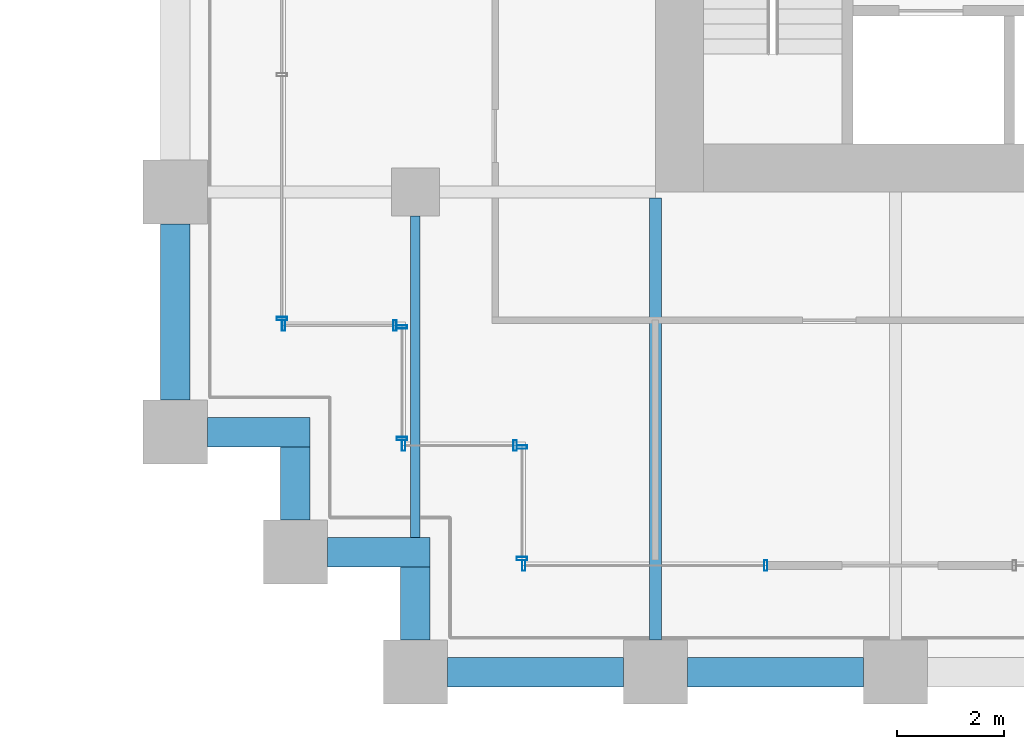
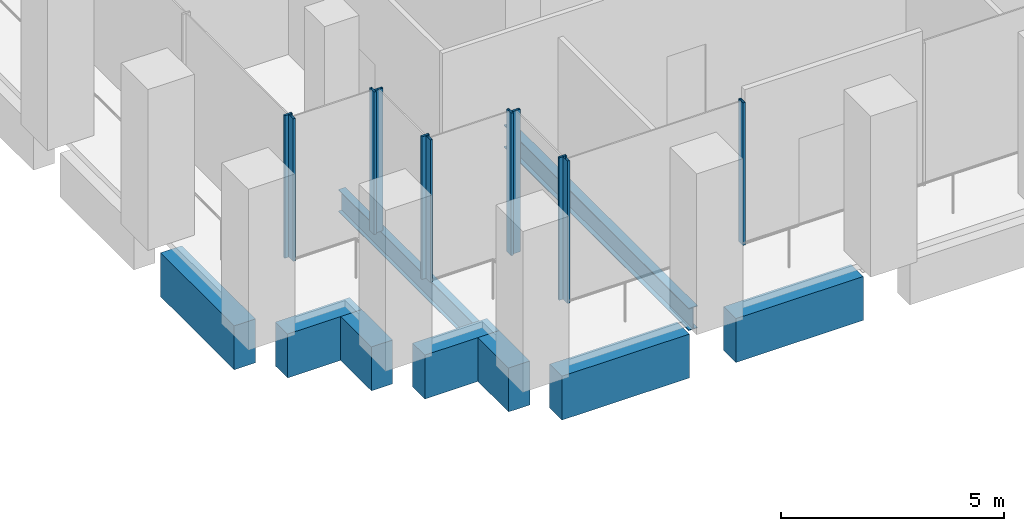
# One storey, part 19 of 36: 11 members, 9 beams, 6 elements without a shape of their own.
"""IFC4 building model written with IfcOpenShell, lengths in metres."""

from ifc_helpers import new_model, si_unit, direction, frame, origin, origin_2d, place, context, subcontext, project, spatial, rectangle, hollow_rectangle, i_section, extrude, material, material_profile, profile_set, type_object, element, aggregate, save


model = new_model("IFC4")

# Units and contexts
model_context = context("Model", 3, precision=1e-05, world=origin(), true_north=direction((0.0, 1.0)))
body_context = subcontext(model_context, "Body", "Model", "MODEL_VIEW")
ifc_project = project(units=[si_unit("LENGTHUNIT", "METRE"), si_unit("AREAUNIT", "SQUARE_METRE"), si_unit("VOLUMEUNIT", "CUBIC_METRE"), si_unit("PLANEANGLEUNIT", "RADIAN"), si_unit("MASSUNIT", "GRAM", prefix="KILO")], contexts=[model_context])

# Site, building, storey
site_placement = place(None, origin())
site = spatial("IfcSite", under=ifc_project, at=site_placement, CompositionType="ELEMENT")
building_placement = place(site_placement, origin())
building = spatial("IfcBuilding", under=site, at=building_placement, Name="Altepetl Exchange Towers", CompositionType="ELEMENT")
storey_placement = place(building_placement, frame((0.0, 0.0, 38.60009765625)))
storey = spatial("IfcBuildingStorey", under=building, at=storey_placement, Name="L08", CompositionType="ELEMENT", Elevation=38.60009765625)

# Beams
ifc_material_1 = material(Name="Steel S355", Category="steel")
ifc_material_profile_1 = material_profile(ifc_material_1, i_section(OverallWidth=0.178955078125, OverallDepth=0.60302734375, WebThickness=0.010986328125, FlangeThickness=0.014892578125, at=origin_2d()), Name="W24X62")
ifc_profile_set_1 = profile_set([ifc_material_profile_1], Name="Steel S355")
beam_type_1 = type_object("IfcBeamType", Name="Floor beam W24X62", PredefinedType="BEAM", material=ifc_profile_set_1)
beam_1_placement = place(storey_placement, frame((99.0, 29.52490234375, -0.4765625), z_axis=(0.0, 1.0, 0.0), x_axis=(-1.0, 0.0, 0.0)))
element("IfcBeam", 1, at=beam_1_placement, inside=storey, type_object=beam_type_1, Name="bm:B:L08:008", PredefinedType="BEAM", context=body_context, shape_type="SweptSolid", body=[
    extrude(i_section(OverallWidth=0.178955078125, OverallDepth=0.60302734375, WebThickness=0.010986328125, FlangeThickness=0.014892578125, at=origin_2d()), origin(), (0.0, 0.0, 1.0), 6.025146484375),
])
ifc_material_profile_2 = material_profile(ifc_material_1, i_section(OverallWidth=0.22900390625, OverallDepth=0.612060546875, WebThickness=0.011962890625, FlangeThickness=0.01953125, at=origin_2d()), Name="W24X84")
ifc_profile_set_2 = profile_set([ifc_material_profile_2], Name="Steel S355")
beam_type_2 = type_object("IfcBeamType", Name="Floor beam W24X84", PredefinedType="BEAM", material=ifc_profile_set_2)
beam_2_placement = place(storey_placement, frame((103.5, 27.60009765625, -0.481201171875), z_axis=(0.0, 1.0, 0.0), x_axis=(-1.0, 0.0, 0.0)))
element("IfcBeam", 2, at=beam_2_placement, inside=storey, type_object=beam_type_2, Name="bm:B:L08:009", PredefinedType="BEAM", context=body_context, shape_type="SweptSolid", body=[
    extrude(i_section(OverallWidth=0.22900390625, OverallDepth=0.612060546875, WebThickness=0.011962890625, FlangeThickness=0.01953125, at=origin_2d()), origin(), (0.0, 0.0, 1.0), 8.285888671875),
])

# Curtain wall, member
ifc_material_2 = material(Name="Aluminium 6063-T6 glazing", Category="aluminium")
curtain_wall_type = type_object("IfcCurtainWallType", Name="Trading floor glazing system", PredefinedType="NOTDEFINED", material=ifc_material_2)
curtain_wall_1_placement = place(storey_placement, origin())
curtain_wall_1 = element("IfcCurtainWall", 3, at=curtain_wall_1_placement, inside=storey, type_object=curtain_wall_type, Name="CW2 run", PredefinedType="NOTDEFINED")
ifc_material_3 = material(Name="Aluminium 6063-T6", Category="aluminium")
ifc_material_profile_3 = material_profile(ifc_material_3, hollow_rectangle(XDim=0.06005859375, YDim=0.199951171875, WallThickness=0.0029296875, at=origin_2d()), Name="Mullion 60x200 aluminium")
ifc_profile_set_3 = profile_set([ifc_material_profile_3], Name="Aluminium 6063-T6")
member_type = type_object("IfcMemberType", Name="Mullion 60x200 aluminium", PredefinedType="MULLION", material=ifc_profile_set_3)
member_1_placement = place(storey_placement, frame((96.5, 33.6298828125, 0.0), z_axis=(0.0, 0.0, 1.0), x_axis=(0.0, -1.0, 0.0)))
member_1 = element("IfcMember", 4, at=member_1_placement, type_object=member_type, Name="MU2 mullion", PredefinedType="MULLION", context=body_context, shape_type="SweptSolid", body=[
    extrude(hollow_rectangle(XDim=0.06005859375, YDim=0.199951171875, WallThickness=0.0029296875, at=origin_2d()), origin(), (0.0, 0.0, 1.0), 3.89990234375),
])
aggregate(curtain_wall_1, [member_1])

# Curtain wall, members
curtain_wall_2_placement = place(storey_placement, origin())
curtain_wall_2 = element("IfcCurtainWall", 5, at=curtain_wall_2_placement, inside=storey, type_object=curtain_wall_type, Name="CW2 run", PredefinedType="NOTDEFINED")
member_2_placement = place(storey_placement, frame((96.530029296875, 33.5, 0.0)))
member_2 = element("IfcMember", 6, at=member_2_placement, type_object=member_type, Name="MU2 mullion", PredefinedType="MULLION", context=body_context, shape_type="SweptSolid", body=[
    extrude(hollow_rectangle(XDim=0.06005859375, YDim=0.199951171875, WallThickness=0.0029296875, at=origin_2d()), origin(), (0.0, 0.0, 1.0), 3.89990234375),
])
member_3_placement = place(storey_placement, frame((98.6201171875, 33.5, 0.0)))
member_3 = element("IfcMember", 7, at=member_3_placement, type_object=member_type, Name="MU2 mullion", PredefinedType="MULLION", context=body_context, shape_type="SweptSolid", body=[
    extrude(hollow_rectangle(XDim=0.06005859375, YDim=0.199951171875, WallThickness=0.0029296875, at=origin_2d()), origin(), (0.0, 0.0, 1.0), 3.89990234375),
])
aggregate(curtain_wall_2, [member_2, member_3])

curtain_wall_3_placement = place(storey_placement, origin())
curtain_wall_3 = element("IfcCurtainWall", 8, at=curtain_wall_3_placement, inside=storey, type_object=curtain_wall_type, Name="CW2 run", PredefinedType="NOTDEFINED")
member_4_placement = place(storey_placement, frame((98.75, 33.469970703125, 0.0), z_axis=(0.0, 0.0, 1.0), x_axis=(0.0, -1.0, 0.0)))
member_4 = element("IfcMember", 9, at=member_4_placement, type_object=member_type, Name="MU2 mullion", PredefinedType="MULLION", context=body_context, shape_type="SweptSolid", body=[
    extrude(hollow_rectangle(XDim=0.06005859375, YDim=0.199951171875, WallThickness=0.0029296875, at=origin_2d()), origin(), (0.0, 0.0, 1.0), 3.89990234375),
])
member_5_placement = place(storey_placement, frame((98.75, 31.3798828125, 0.0), z_axis=(0.0, 0.0, 1.0), x_axis=(0.0, -1.0, 0.0)))
member_5 = element("IfcMember", 10, at=member_5_placement, type_object=member_type, Name="MU2 mullion", PredefinedType="MULLION", context=body_context, shape_type="SweptSolid", body=[
    extrude(hollow_rectangle(XDim=0.06005859375, YDim=0.199951171875, WallThickness=0.0029296875, at=origin_2d()), origin(), (0.0, 0.0, 1.0), 3.89990234375),
])
aggregate(curtain_wall_3, [member_4, member_5])

curtain_wall_4_placement = place(storey_placement, origin())
curtain_wall_4 = element("IfcCurtainWall", 11, at=curtain_wall_4_placement, inside=storey, type_object=curtain_wall_type, Name="CW2 run", PredefinedType="NOTDEFINED")
member_6_placement = place(storey_placement, frame((98.780029296875, 31.25, 0.0)))
member_6 = element("IfcMember", 12, at=member_6_placement, type_object=member_type, Name="MU2 mullion", PredefinedType="MULLION", context=body_context, shape_type="SweptSolid", body=[
    extrude(hollow_rectangle(XDim=0.06005859375, YDim=0.199951171875, WallThickness=0.0029296875, at=origin_2d()), origin(), (0.0, 0.0, 1.0), 3.89990234375),
])
member_7_placement = place(storey_placement, frame((100.8701171875, 31.25, 0.0)))
member_7 = element("IfcMember", 13, at=member_7_placement, type_object=member_type, Name="MU2 mullion", PredefinedType="MULLION", context=body_context, shape_type="SweptSolid", body=[
    extrude(hollow_rectangle(XDim=0.06005859375, YDim=0.199951171875, WallThickness=0.0029296875, at=origin_2d()), origin(), (0.0, 0.0, 1.0), 3.89990234375),
])
aggregate(curtain_wall_4, [member_6, member_7])

curtain_wall_5_placement = place(storey_placement, origin())
curtain_wall_5 = element("IfcCurtainWall", 14, at=curtain_wall_5_placement, inside=storey, type_object=curtain_wall_type, Name="CW2 run", PredefinedType="NOTDEFINED")
member_8_placement = place(storey_placement, frame((101.0, 31.219970703125, 0.0), z_axis=(0.0, 0.0, 1.0), x_axis=(0.0, -1.0, 0.0)))
member_8 = element("IfcMember", 15, at=member_8_placement, type_object=member_type, Name="MU2 mullion", PredefinedType="MULLION", context=body_context, shape_type="SweptSolid", body=[
    extrude(hollow_rectangle(XDim=0.06005859375, YDim=0.199951171875, WallThickness=0.0029296875, at=origin_2d()), origin(), (0.0, 0.0, 1.0), 3.89990234375),
])
member_9_placement = place(storey_placement, frame((101.0, 29.1298828125, 0.0), z_axis=(0.0, 0.0, 1.0), x_axis=(0.0, -1.0, 0.0)))
member_9 = element("IfcMember", 16, at=member_9_placement, type_object=member_type, Name="MU2 mullion", PredefinedType="MULLION", context=body_context, shape_type="SweptSolid", body=[
    extrude(hollow_rectangle(XDim=0.06005859375, YDim=0.199951171875, WallThickness=0.0029296875, at=origin_2d()), origin(), (0.0, 0.0, 1.0), 3.89990234375),
])
aggregate(curtain_wall_5, [member_8, member_9])

curtain_wall_6_placement = place(storey_placement, origin())
curtain_wall_6 = element("IfcCurtainWall", 17, at=curtain_wall_6_placement, inside=storey, type_object=curtain_wall_type, Name="CW2 run", PredefinedType="NOTDEFINED")
member_10_placement = place(storey_placement, frame((101.030029296875, 29.0, 0.0)))
member_10 = element("IfcMember", 18, at=member_10_placement, type_object=member_type, Name="MU2 mullion", PredefinedType="MULLION", context=body_context, shape_type="SweptSolid", body=[
    extrude(hollow_rectangle(XDim=0.06005859375, YDim=0.199951171875, WallThickness=0.0029296875, at=origin_2d()), origin(), (0.0, 0.0, 1.0), 3.89990234375),
])
member_11_placement = place(storey_placement, frame((105.570068359375, 29.0, 0.0)))
member_11 = element("IfcMember", 19, at=member_11_placement, type_object=member_type, Name="MU2 mullion", PredefinedType="MULLION", context=body_context, shape_type="SweptSolid", body=[
    extrude(hollow_rectangle(XDim=0.06005859375, YDim=0.199951171875, WallThickness=0.0029296875, at=origin_2d()), origin(), (0.0, 0.0, 1.0), 3.89990234375),
])
aggregate(curtain_wall_6, [member_10, member_11])

# Beams
ifc_material_4 = material(Name="Concrete C50/60 precast with tezontle facing", Category="concrete")
ifc_material_profile_4 = material_profile(ifc_material_4, rectangle(XDim=0.550048828125, YDim=1.199951171875, at=origin_2d()), Name="550 x 1200")
ifc_profile_set_4 = profile_set([ifc_material_profile_4], Name="Concrete C50/60 precast with tezontle facing")
beam_type_3 = type_object("IfcBeamType", Name="Spandrel beam 550x1200 tezontle", PredefinedType="SPANDREL", material=ifc_profile_set_4)
for number, where, z_axis, x_axis, name in (
    (20, (99.60009765625, 27.0, -0.775146484375), (1.0, 0.0, 0.0), (0.0, 1.0, 0.0), "sp:B:L08:000"),
    (21, (104.10009765625, 27.0, -0.775146484375), (1.0, 0.0, 0.0), (0.0, 1.0, 0.0), "sp:B:L08:001"),
    (22, (94.5, 35.39990234375, -0.775146484375), (0.0, -1.0, 0.0), (1.0, 0.0, 0.0), "sp:B:L08:031"),
):
    element("IfcBeam", number, at=place(storey_placement, frame(where, z_axis=z_axis, x_axis=x_axis)), inside=storey, type_object=beam_type_3, Name=name, PredefinedType="SPANDREL", context=body_context, shape_type="SweptSolid", body=[
        extrude(rectangle(XDim=0.550048828125, YDim=1.199951171875, at=origin_2d()), origin(), (0.0, 0.0, 1.0), 3.2998046875),
    ])
beam_3_placement = place(storey_placement, frame((95.10009765625, 31.5, -0.775146484375), z_axis=(1.0, 0.0, 0.0), x_axis=(0.0, 1.0, 0.0)))
element("IfcBeam", 23, at=beam_3_placement, inside=storey, type_object=beam_type_3, Name="sp:B:L08:032", PredefinedType="SPANDREL", context=body_context, shape_type="SweptSolid", body=[
    extrude(rectangle(XDim=0.550048828125, YDim=1.199951171875, at=origin_2d()), origin(), (0.0, 0.0, 1.0), 1.9248046875),
])
beam_4_placement = place(storey_placement, frame((96.75, 31.22509765625, -0.775146484375), z_axis=(0.0, -1.0, 0.0), x_axis=(1.0, 0.0, 0.0)))
element("IfcBeam", 24, at=beam_4_placement, inside=storey, type_object=beam_type_3, Name="sp:B:L08:033", PredefinedType="SPANDREL", context=body_context, shape_type="SweptSolid", body=[
    extrude(rectangle(XDim=0.550048828125, YDim=1.199951171875, at=origin_2d()), origin(), (0.0, 0.0, 1.0), 1.375),
])
beam_5_placement = place(storey_placement, frame((97.35009765625, 29.25, -0.775146484375), z_axis=(1.0, 0.0, 0.0), x_axis=(0.0, 1.0, 0.0)))
element("IfcBeam", 25, at=beam_5_placement, inside=storey, type_object=beam_type_3, Name="sp:B:L08:034", PredefinedType="SPANDREL", context=body_context, shape_type="SweptSolid", body=[
    extrude(rectangle(XDim=0.550048828125, YDim=1.199951171875, at=origin_2d()), origin(), (0.0, 0.0, 1.0), 1.9248046875),
])
beam_6_placement = place(storey_placement, frame((99.0, 28.97509765625, -0.775146484375), z_axis=(0.0, -1.0, 0.0), x_axis=(1.0, 0.0, 0.0)))
element("IfcBeam", 26, at=beam_6_placement, inside=storey, type_object=beam_type_3, Name="sp:B:L08:035", PredefinedType="SPANDREL", context=body_context, shape_type="SweptSolid", body=[
    extrude(rectangle(XDim=0.550048828125, YDim=1.199951171875, at=origin_2d()), origin(), (0.0, 0.0, 1.0), 1.375),
])

save(model, "model.ifc")
